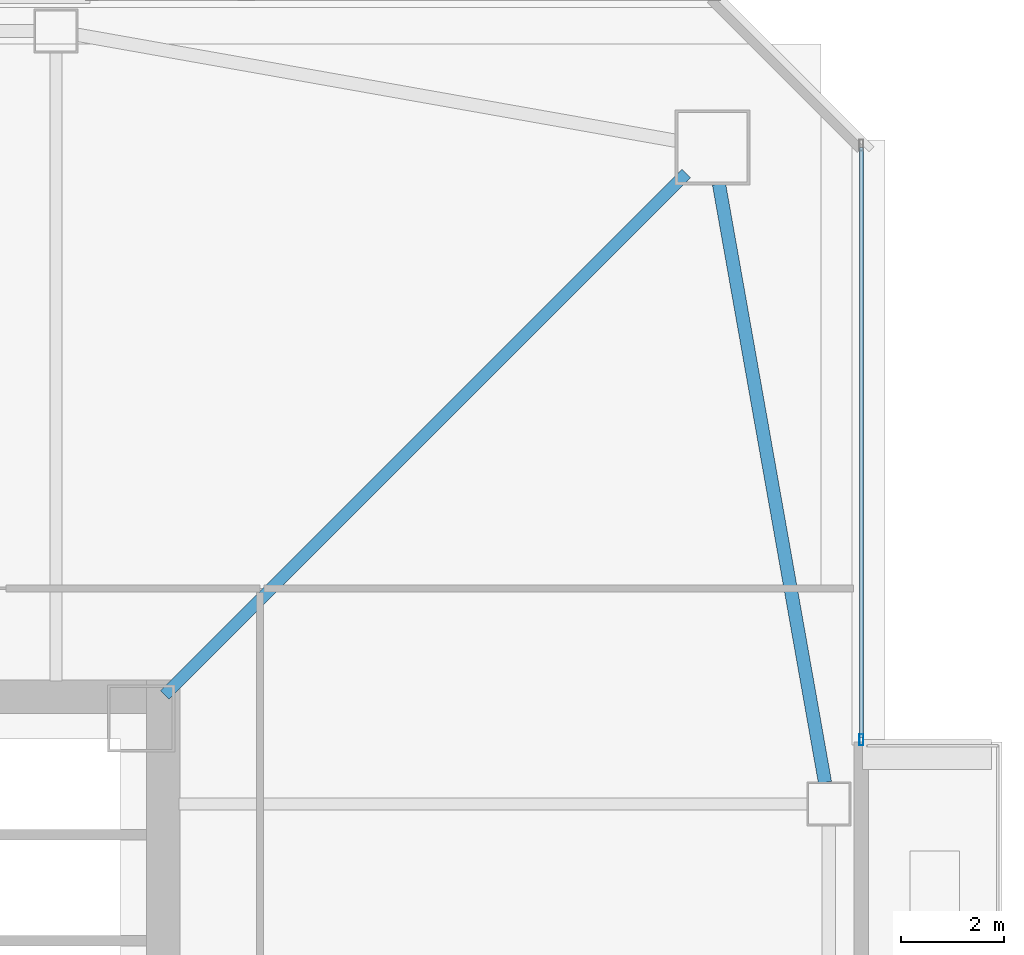
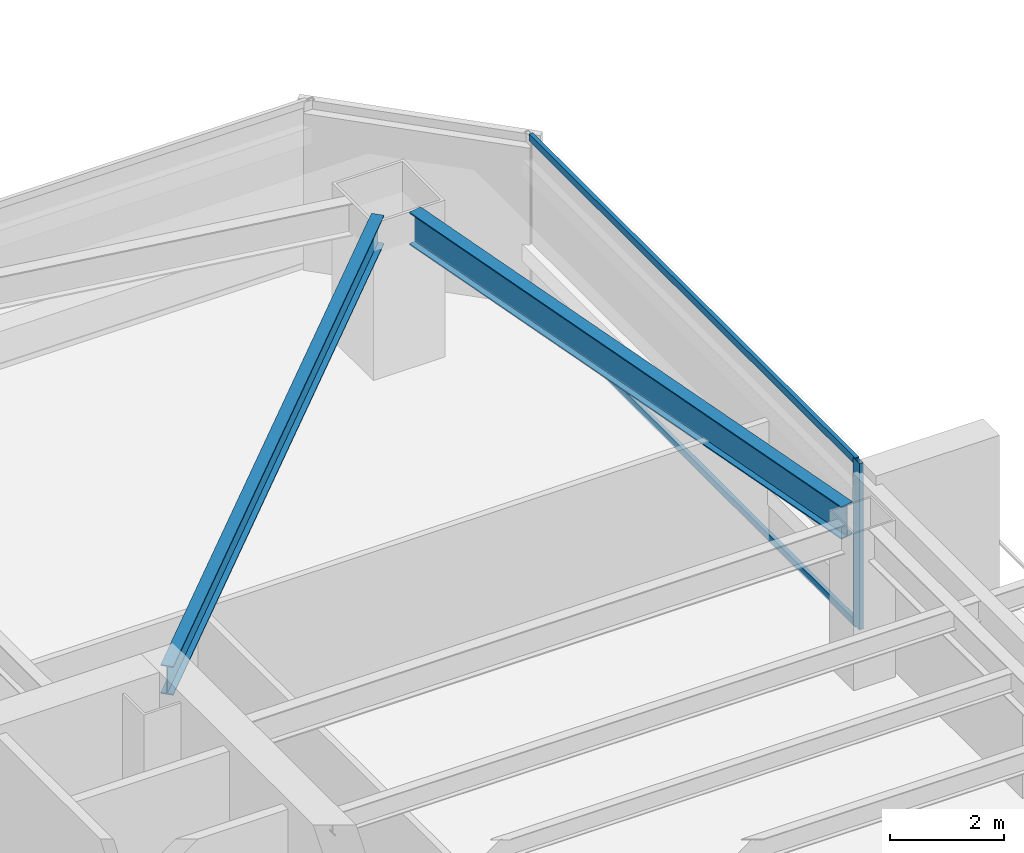
# One storey, part 14 of 44: 3 members, 2 beams, 1 element without a shape of its own.
"""IFC4 building model written with IfcOpenShell, lengths in metres."""

from ifc_helpers import new_model, si_unit, direction, frame, origin, origin_2d, place, context, subcontext, project, spatial, hollow_rectangle, i_section, extrude, material, material_profile, profile_set, type_object, element, aggregate, save


model = new_model("IFC4")

# Units and contexts
model_context = context("Model", 3, precision=1e-05, world=origin(), true_north=direction((0.0, 1.0)))
body_context = subcontext(model_context, "Body", "Model", "MODEL_VIEW")
ifc_project = project(units=[si_unit("LENGTHUNIT", "METRE"), si_unit("AREAUNIT", "SQUARE_METRE"), si_unit("VOLUMEUNIT", "CUBIC_METRE"), si_unit("PLANEANGLEUNIT", "RADIAN"), si_unit("MASSUNIT", "GRAM", prefix="KILO")], contexts=[model_context])

# Site, building, storey
site_placement = place(None, origin())
site = spatial("IfcSite", under=ifc_project, at=site_placement, CompositionType="ELEMENT")
building_placement = place(site_placement, origin())
building = spatial("IfcBuilding", under=site, at=building_placement, Name="Tashvorn Skyway Center", CompositionType="ELEMENT")
storey_placement = place(building_placement, frame((0.0, 0.0, 102.699951171875)))
storey = spatial("IfcBuildingStorey", under=building, at=storey_placement, Name="L27", CompositionType="ELEMENT", Elevation=102.699951171875)

# Beams
ifc_material_1 = material(Name="Steel ASTM A992 Grade 50", Category="steel")
ifc_material_profile_1 = material_profile(ifc_material_1, i_section(OverallWidth=0.22998046875, OverallDepth=0.616943359375, WebThickness=0.01318359375, FlangeThickness=0.022216796875, at=origin_2d()), Name="W24X94")
ifc_profile_set_1 = profile_set([ifc_material_profile_1], Name="Steel ASTM A992 Grade 50")
beam_type_1 = type_object("IfcBeamType", Name="BM-BEAM-W24X94", PredefinedType="BEAM", material=ifc_profile_set_1)
beam_1_placement = place(storey_placement, frame((59.5908203125, 49.5908203125, 3.04150390625), z_axis=(-0.707106781187, -0.707106781187, 0.0), x_axis=(0.707106781187, -0.707106781187, 0.0)))
element("IfcBeam", 1, at=beam_1_placement, inside=storey, type_object=beam_type_1, Name="Tower 1 L27 Primary Floor Girder MC-NE", PredefinedType="BEAM", context=body_context, shape_type="SweptSolid", body=[
    extrude(i_section(OverallWidth=0.22998046875, OverallDepth=0.616943359375, WebThickness=0.01318359375, FlangeThickness=0.022216796875, at=origin_2d()), origin(), (0.0, 0.0, 1.0), 14.261962890625),
])
ifc_material_profile_2 = material_profile(ifc_material_1, i_section(OverallWidth=0.256103515625, OverallDepth=0.693115234375, WebThickness=0.014404296875, FlangeThickness=0.023681640625, at=origin_2d()), Name="W27X114")
ifc_profile_set_2 = profile_set([ifc_material_profile_2], Name="Steel ASTM A992 Grade 50")
beam_type_2 = type_object("IfcBeamType", Name="BM-SPANDREL-W27X114", PredefinedType="SPANDREL", material=ifc_profile_set_2)
beam_2_placement = place(storey_placement, frame((62.276611328125, 37.8134765625, 3.003662109375), z_axis=(-0.174437966698, 0.98466816531, 0.0), x_axis=(-0.98466816531, -0.174437966698, 0.0)))
element("IfcBeam", 2, at=beam_2_placement, inside=storey, type_object=beam_type_2, Name="Tower 1 L27 Spandrel Beam 06", PredefinedType="SPANDREL", context=body_context, shape_type="SweptSolid", body=[
    extrude(i_section(OverallWidth=0.256103515625, OverallDepth=0.693115234375, WebThickness=0.014404296875, FlangeThickness=0.023681640625, at=origin_2d()), origin(), (0.0, 0.0, 1.0), 11.7578125),
])

# Curtain wall, members
ifc_material_2 = material(Name="Thermally broken bronze-anodized aluminium 6063-T6", Category="aluminium")
curtain_wall_type = type_object("IfcCurtainWallType", Name="CW-CW-Z2", PredefinedType="NOTDEFINED", material=ifc_material_2)
curtain_wall_placement = place(storey_placement, origin())
curtain_wall = element("IfcCurtainWall", 3, at=curtain_wall_placement, inside=storey, type_object=curtain_wall_type, Name="Tower 1 L27 East Curtain Wall L", PredefinedType="NOTDEFINED")
ifc_material_profile_3 = material_profile(ifc_material_2, hollow_rectangle(XDim=0.080078125, YDim=0.219970703125, WallThickness=0.0048828125, at=origin_2d()), Name="ALU-MULL-80x220")
ifc_profile_set_3 = profile_set([ifc_material_profile_3], Name="Thermally broken bronze-anodized aluminium 6063-T6")
member_type_1 = type_object("IfcMemberType", Name="CWM-CW-Z2", PredefinedType="MULLION", material=ifc_profile_set_3)
member_1_placement = place(storey_placement, frame((62.97998046875, 38.639892578125, 0.0), z_axis=(0.0, 0.0, 1.0), x_axis=(1.0, 0.0, 0.0)))
member_1 = element("IfcMember", 4, at=member_1_placement, type_object=member_type_1, Name="CW-Z2 mullion 2", PredefinedType="MULLION", context=body_context, shape_type="SweptSolid", body=[
    extrude(hollow_rectangle(XDim=0.080078125, YDim=0.219970703125, WallThickness=0.0048828125, at=origin_2d()), origin(), (0.0, 0.0, 1.0), 3.550048828125),
])
ifc_material_profile_4 = material_profile(ifc_material_2, hollow_rectangle(XDim=0.080078125, YDim=0.14990234375, WallThickness=0.00439453125, at=origin_2d()), Name="ALU-TRAN-80x150")
ifc_profile_set_4 = profile_set([ifc_material_profile_4], Name="Thermally broken bronze-anodized aluminium 6063-T6")
member_type_2 = type_object("IfcMemberType", Name="CWT-CW-Z2", PredefinedType="USERDEFINED", material=ifc_profile_set_4)
member_2_placement = place(storey_placement, frame((62.97998046875, 50.10009765625, 0.0400390625), z_axis=(0.0, -1.0, 0.0), x_axis=(1.0, 0.0, 0.0)))
member_2 = element("IfcMember", 5, at=member_2_placement, type_object=member_type_2, Name="CW-Z2 transom 1.1", ObjectType="TRANSOM", PredefinedType="USERDEFINED", context=body_context, shape_type="SweptSolid", body=[
    extrude(hollow_rectangle(XDim=0.080078125, YDim=0.14990234375, WallThickness=0.00439453125, at=origin_2d()), origin(), (0.0, 0.0, 1.0), 11.420166015625),
])
member_3_placement = place(storey_placement, frame((62.97998046875, 50.10009765625, 3.510009765625), z_axis=(0.0, -1.0, 0.0), x_axis=(1.0, 0.0, 0.0)))
member_3 = element("IfcMember", 6, at=member_3_placement, type_object=member_type_2, Name="CW-Z2 transom 1.2", ObjectType="TRANSOM", PredefinedType="USERDEFINED", context=body_context, shape_type="SweptSolid", body=[
    extrude(hollow_rectangle(XDim=0.080078125, YDim=0.14990234375, WallThickness=0.00439453125, at=origin_2d()), origin(), (0.0, 0.0, 1.0), 11.420166015625),
])
aggregate(curtain_wall, [member_1, member_2, member_3])

save(model, "model.ifc")
